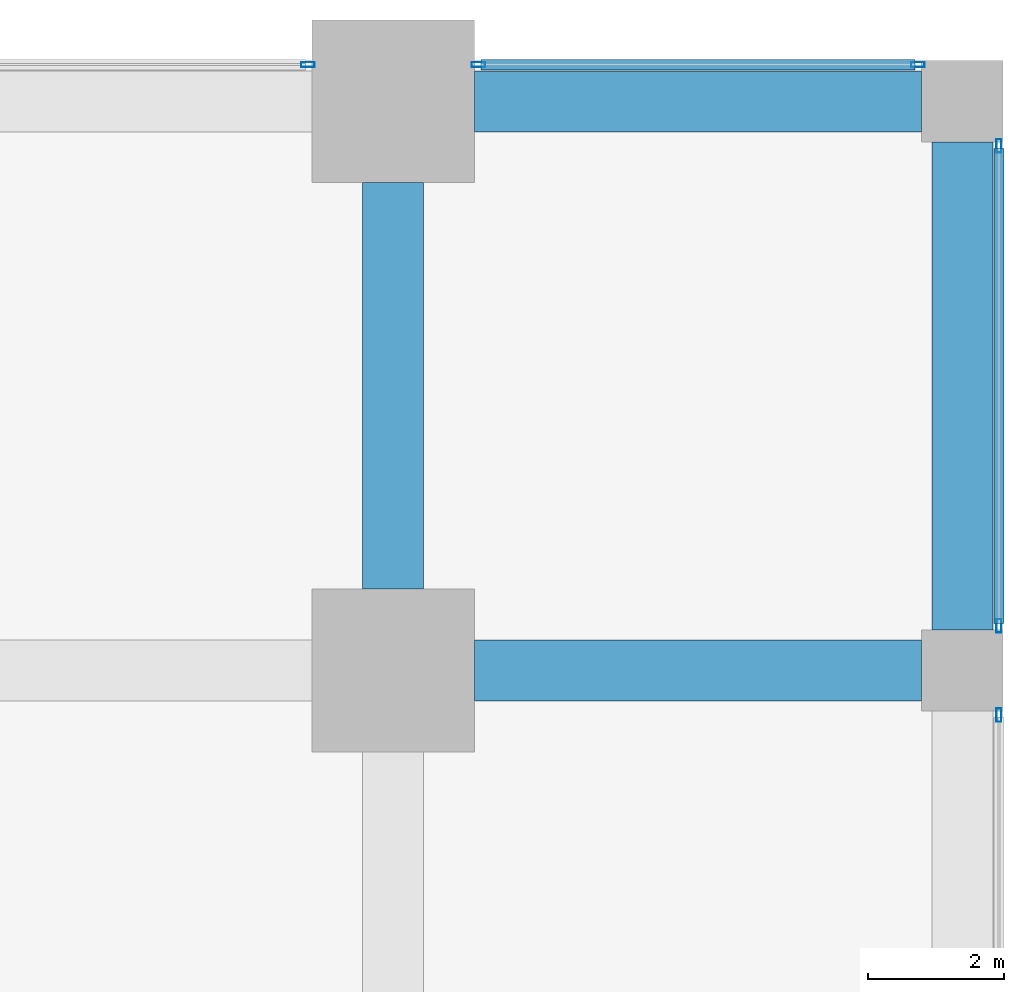
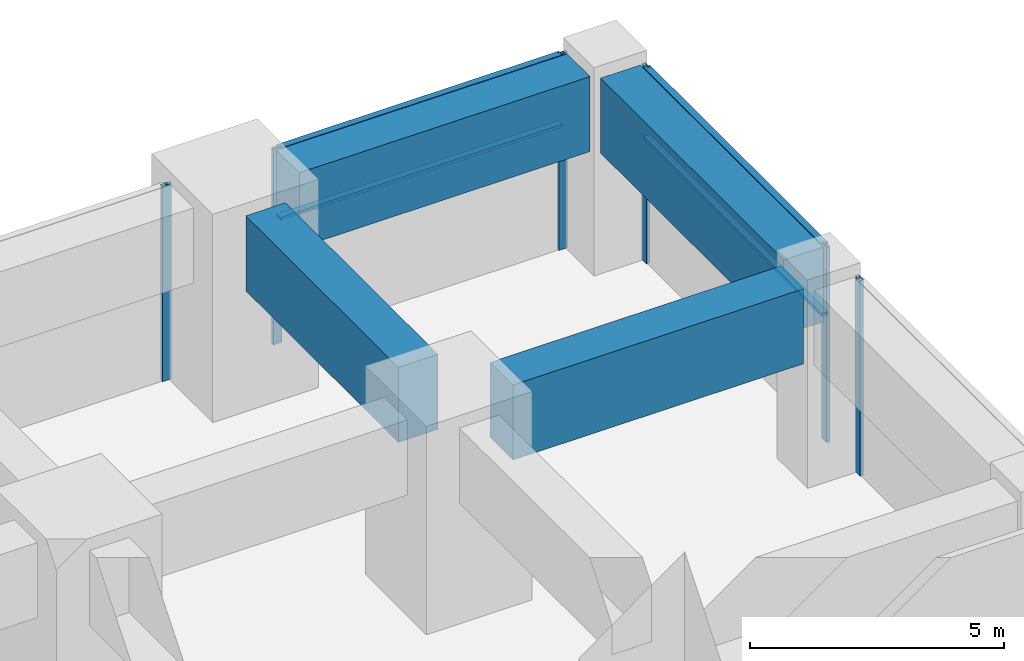
# One storey, part 33 of 49: 10 members, 4 beams, 4 elements without a shape of their own.
"""IFC4 building model written with IfcOpenShell, lengths in metres."""

from ifc_helpers import new_model, si_unit, direction, frame, origin, origin_2d, place, context, subcontext, project, spatial, rectangle, hollow_rectangle, extrude, material, material_profile, profile_set, type_object, element, aggregate, save


model = new_model("IFC4")

# Units and contexts
model_context = context("Model", 3, precision=1e-05, world=origin(), true_north=direction((0.0, 1.0)))
body_context = subcontext(model_context, "Body", "Model", "MODEL_VIEW")
ifc_project = project(units=[si_unit("LENGTHUNIT", "METRE"), si_unit("AREAUNIT", "SQUARE_METRE"), si_unit("VOLUMEUNIT", "CUBIC_METRE"), si_unit("PLANEANGLEUNIT", "RADIAN"), si_unit("MASSUNIT", "GRAM", prefix="KILO")], contexts=[model_context])

# Site, building, storey
site_placement = place(None, origin())
site = spatial("IfcSite", under=ifc_project, at=site_placement, CompositionType="ELEMENT")
building_placement = place(site_placement, origin())
building = spatial("IfcBuilding", under=site, at=building_placement, Name="Rekha Terrace Tower", CompositionType="ELEMENT")
storey_placement = place(building_placement, frame((0.0, 0.0, 5.39990234375)))
storey = spatial("IfcBuildingStorey", under=building, at=storey_placement, Name="L01", CompositionType="ELEMENT", Elevation=5.39990234375)

# Curtain wall, member
ifc_material_1 = material(Name="Aluminium framing", Category="aluminium")
curtain_wall_type = type_object("IfcCurtainWallType", Name="CW4 podium shopfront glazing", PredefinedType="USERDEFINED", material=ifc_material_1)
curtain_wall_1_placement = place(storey_placement, origin())
curtain_wall_1 = element("IfcCurtainWall", 1, at=curtain_wall_1_placement, inside=storey, type_object=curtain_wall_type, Name="CW4 shopfront curtain wall", ObjectType="SHOPFRONT CURTAIN WALL", PredefinedType="USERDEFINED")
ifc_material_2 = material(Name="Aluminium mullion section", Category="aluminium")
ifc_material_profile_1 = material_profile(ifc_material_2, hollow_rectangle(XDim=0.074951171875, YDim=0.199951171875, WallThickness=0.00390625, at=origin_2d()), Name="AL RHS 75x200")
ifc_profile_set_1 = profile_set([ifc_material_profile_1], Name="Aluminium mullion section")
member_type_1 = type_object("IfcMemberType", Name="CW4 mullion RHS 75 x 200", PredefinedType="MULLION", material=ifc_profile_set_1)
member_1_placement = place(storey_placement, frame((76.139892578125, 49.742431640625, 0.0), z_axis=(0.0, 0.0, 1.0), x_axis=(-1.0, 0.0, 0.0)))
member_1 = element("IfcMember", 2, at=member_1_placement, type_object=member_type_1, Name="CW4 mullion 2", PredefinedType="MULLION", context=body_context, shape_type="SweptSolid", body=[
    extrude(hollow_rectangle(XDim=0.074951171875, YDim=0.199951171875, WallThickness=0.00390625, at=origin_2d()), origin(), (0.0, 0.0, 1.0), 4.7001953125),
])
aggregate(curtain_wall_1, [member_1])

# Curtain wall, members
curtain_wall_2_placement = place(storey_placement, origin())
curtain_wall_2 = element("IfcCurtainWall", 3, at=curtain_wall_2_placement, inside=storey, type_object=curtain_wall_type, Name="CW4 shopfront curtain wall", ObjectType="SHOPFRONT CURTAIN WALL", PredefinedType="USERDEFINED")
member_2_placement = place(storey_placement, frame((76.139892578125, 51.0576171875, 0.0), z_axis=(0.0, 0.0, 1.0), x_axis=(-1.0, 0.0, 0.0)))
member_2 = element("IfcMember", 4, at=member_2_placement, type_object=member_type_1, Name="CW4 mullion 1", PredefinedType="MULLION", context=body_context, shape_type="SweptSolid", body=[
    extrude(hollow_rectangle(XDim=0.074951171875, YDim=0.199951171875, WallThickness=0.00390625, at=origin_2d()), origin(), (0.0, 0.0, 1.0), 4.7001953125),
])
member_3_placement = place(storey_placement, frame((76.139892578125, 58.142578125, 0.0), z_axis=(0.0, 0.0, 1.0), x_axis=(-1.0, 0.0, 0.0)))
member_3 = element("IfcMember", 5, at=member_3_placement, type_object=member_type_1, Name="CW4 mullion 2", PredefinedType="MULLION", context=body_context, shape_type="SweptSolid", body=[
    extrude(hollow_rectangle(XDim=0.074951171875, YDim=0.199951171875, WallThickness=0.00390625, at=origin_2d()), origin(), (0.0, 0.0, 1.0), 4.7001953125),
])

curtain_wall_3_placement = place(storey_placement, origin())
curtain_wall_3 = element("IfcCurtainWall", 6, at=curtain_wall_3_placement, inside=storey, type_object=curtain_wall_type, Name="CW4 shopfront curtain wall", ObjectType="SHOPFRONT CURTAIN WALL", PredefinedType="USERDEFINED")
member_4_placement = place(storey_placement, frame((74.9423828125, 59.340087890625, 0.0), z_axis=(0.0, 0.0, 1.0), x_axis=(0.0, -1.0, 0.0)))
member_4 = element("IfcMember", 7, at=member_4_placement, type_object=member_type_1, Name="CW4 mullion 1", PredefinedType="MULLION", context=body_context, shape_type="SweptSolid", body=[
    extrude(hollow_rectangle(XDim=0.074951171875, YDim=0.199951171875, WallThickness=0.00390625, at=origin_2d()), origin(), (0.0, 0.0, 1.0), 4.7001953125),
])
member_5_placement = place(storey_placement, frame((68.45751953125, 59.340087890625, 0.0), z_axis=(0.0, 0.0, 1.0), x_axis=(0.0, -1.0, 0.0)))
member_5 = element("IfcMember", 8, at=member_5_placement, type_object=member_type_1, Name="CW4 mullion 2", PredefinedType="MULLION", context=body_context, shape_type="SweptSolid", body=[
    extrude(hollow_rectangle(XDim=0.074951171875, YDim=0.199951171875, WallThickness=0.00390625, at=origin_2d()), origin(), (0.0, 0.0, 1.0), 4.7001953125),
])

# Curtain wall, member
curtain_wall_4_placement = place(storey_placement, origin())
curtain_wall_4 = element("IfcCurtainWall", 9, at=curtain_wall_4_placement, inside=storey, type_object=curtain_wall_type, Name="CW4 shopfront curtain wall", ObjectType="SHOPFRONT CURTAIN WALL", PredefinedType="USERDEFINED")
member_6_placement = place(storey_placement, frame((65.9423828125, 59.340087890625, 0.0), z_axis=(0.0, 0.0, 1.0), x_axis=(0.0, -1.0, 0.0)))
member_6 = element("IfcMember", 10, at=member_6_placement, type_object=member_type_1, Name="CW4 mullion 1", PredefinedType="MULLION", context=body_context, shape_type="SweptSolid", body=[
    extrude(hollow_rectangle(XDim=0.074951171875, YDim=0.199951171875, WallThickness=0.00390625, at=origin_2d()), origin(), (0.0, 0.0, 1.0), 4.7001953125),
])
aggregate(curtain_wall_4, [member_6])

# Member
ifc_material_3 = material(Name="Aluminium transom section", Category="aluminium")
ifc_material_profile_2 = material_profile(ifc_material_3, hollow_rectangle(XDim=0.14990234375, YDim=0.074951171875, WallThickness=0.0029296875, at=origin_2d()), Name="AL RHS 150x75")
ifc_profile_set_2 = profile_set([ifc_material_profile_2], Name="Aluminium transom section")
member_type_2 = type_object("IfcMemberType", Name="CW4 transom RHS 75 x 150", PredefinedType="USERDEFINED", material=ifc_profile_set_2)
member_7_placement = place(storey_placement, frame((76.139892578125, 51.094970703125, 3.0), z_axis=(0.0, 1.0, 0.0), x_axis=(-1.0, 0.0, 0.0)))
member_7 = element("IfcMember", 11, at=member_7_placement, type_object=member_type_2, Name="CW4 transom 1.2", ObjectType="TRANSOM", PredefinedType="USERDEFINED", context=body_context, shape_type="SweptSolid", body=[
    extrude(hollow_rectangle(XDim=0.14990234375, YDim=0.074951171875, WallThickness=0.0029296875, at=origin_2d()), origin(), (0.0, 0.0, 1.0), 7.010009765625),
])

member_8_placement = place(storey_placement, frame((76.139892578125, 51.094970703125, 4.66259765625), z_axis=(0.0, 1.0, 0.0), x_axis=(-1.0, 0.0, 0.0)))
member_8 = element("IfcMember", 12, at=member_8_placement, type_object=member_type_2, Name="CW4 transom 1.3", ObjectType="TRANSOM", PredefinedType="USERDEFINED", context=body_context, shape_type="SweptSolid", body=[
    extrude(hollow_rectangle(XDim=0.14990234375, YDim=0.074951171875, WallThickness=0.0029296875, at=origin_2d()), origin(), (0.0, 0.0, 1.0), 7.010009765625),
])

aggregate(curtain_wall_2, [member_2, member_3, member_7, member_8])

member_9_placement = place(storey_placement, frame((74.905029296875, 59.340087890625, 3.0), z_axis=(-1.0, 0.0, 0.0), x_axis=(0.0, -1.0, 0.0)))
member_9 = element("IfcMember", 13, at=member_9_placement, type_object=member_type_2, Name="CW4 transom 1.2", ObjectType="TRANSOM", PredefinedType="USERDEFINED", context=body_context, shape_type="SweptSolid", body=[
    extrude(hollow_rectangle(XDim=0.14990234375, YDim=0.074951171875, WallThickness=0.0029296875, at=origin_2d()), origin(), (0.0, 0.0, 1.0), 6.409912109375),
])

member_10_placement = place(storey_placement, frame((74.905029296875, 59.340087890625, 4.66259765625), z_axis=(-1.0, 0.0, 0.0), x_axis=(0.0, -1.0, 0.0)))
member_10 = element("IfcMember", 14, at=member_10_placement, type_object=member_type_2, Name="CW4 transom 1.3", ObjectType="TRANSOM", PredefinedType="USERDEFINED", context=body_context, shape_type="SweptSolid", body=[
    extrude(hollow_rectangle(XDim=0.14990234375, YDim=0.074951171875, WallThickness=0.0029296875, at=origin_2d()), origin(), (0.0, 0.0, 1.0), 6.409912109375),
])

aggregate(curtain_wall_3, [member_4, member_5, member_9, member_10])

# Beams
ifc_material_4 = material(Name="Concrete M60", Category="concrete")
ifc_material_profile_3 = material_profile(ifc_material_4, rectangle(XDim=0.89990234375, YDim=1.800048828125, at=origin_2d()), Name="RC 900x1800")
ifc_profile_set_3 = profile_set([ifc_material_profile_3], Name="Concrete M60")
beam_type = type_object("IfcBeamType", Name="G1 900x1800 podium floor beam", PredefinedType="BEAM", material=ifc_profile_set_3)
beam_1_placement = place(storey_placement, frame((68.39990234375, 50.39990234375, 3.800048828125), z_axis=(1.0, 0.0, 0.0), x_axis=(0.0, 1.0, 0.0)))
element("IfcBeam", 15, at=beam_1_placement, inside=storey, type_object=beam_type, Name="Beam G1 9G-10G under L02", PredefinedType="BEAM", context=body_context, shape_type="SweptSolid", body=[
    extrude(rectangle(XDim=0.89990234375, YDim=1.800048828125, at=origin_2d()), origin(), (0.0, 0.0, 1.0), 6.60009765625),
])
beam_2_placement = place(storey_placement, frame((67.199951171875, 51.60009765625, 3.800048828125), z_axis=(0.0, 1.0, 0.0), x_axis=(-1.0, 0.0, 0.0)))
element("IfcBeam", 16, at=beam_2_placement, inside=storey, type_object=beam_type, Name="Beam G1 9G-9H under L02", PredefinedType="BEAM", context=body_context, shape_type="SweptSolid", body=[
    extrude(rectangle(XDim=0.89990234375, YDim=1.800048828125, at=origin_2d()), origin(), (0.0, 0.0, 1.0), 6.0),
])
beam_3_placement = place(storey_placement, frame((68.39990234375, 58.800048828125, 3.800048828125), z_axis=(1.0, 0.0, 0.0), x_axis=(0.0, 1.0, 0.0)))
element("IfcBeam", 17, at=beam_3_placement, inside=storey, type_object=beam_type, Name="Beam G1 9H-10H under L02", PredefinedType="BEAM", context=body_context, shape_type="SweptSolid", body=[
    extrude(rectangle(XDim=0.89990234375, YDim=1.800048828125, at=origin_2d()), origin(), (0.0, 0.0, 1.0), 6.60009765625),
])
beam_4_placement = place(storey_placement, frame((75.60009765625, 51.0, 3.800048828125), z_axis=(0.0, 1.0, 0.0), x_axis=(-1.0, 0.0, 0.0)))
element("IfcBeam", 18, at=beam_4_placement, inside=storey, type_object=beam_type, Name="Beam G1 10G-10H under L02", PredefinedType="BEAM", context=body_context, shape_type="SweptSolid", body=[
    extrude(rectangle(XDim=0.89990234375, YDim=1.800048828125, at=origin_2d()), origin(), (0.0, 0.0, 1.0), 7.199951171875),
])

save(model, "model.ifc")
